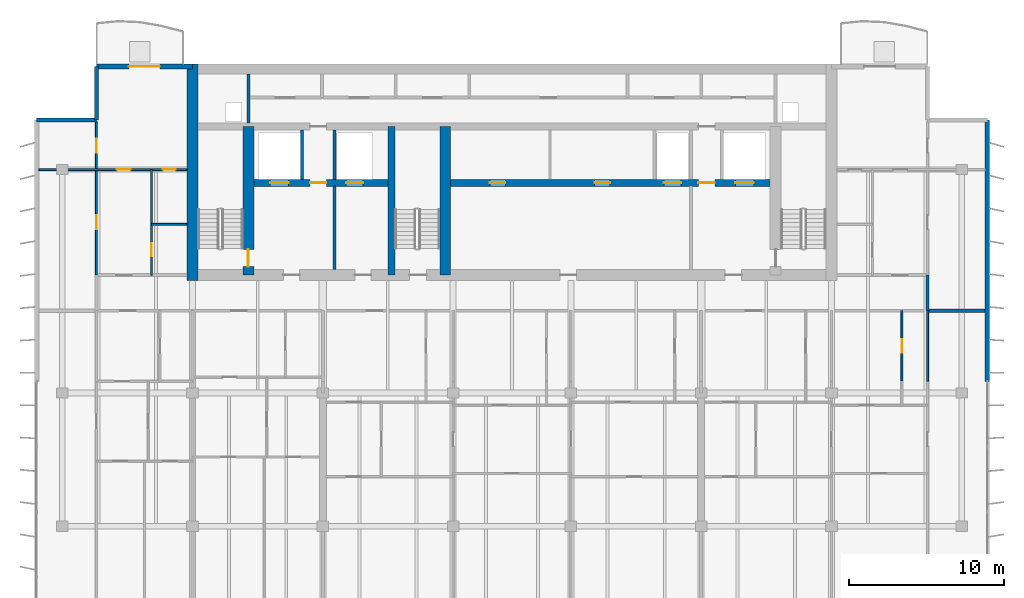
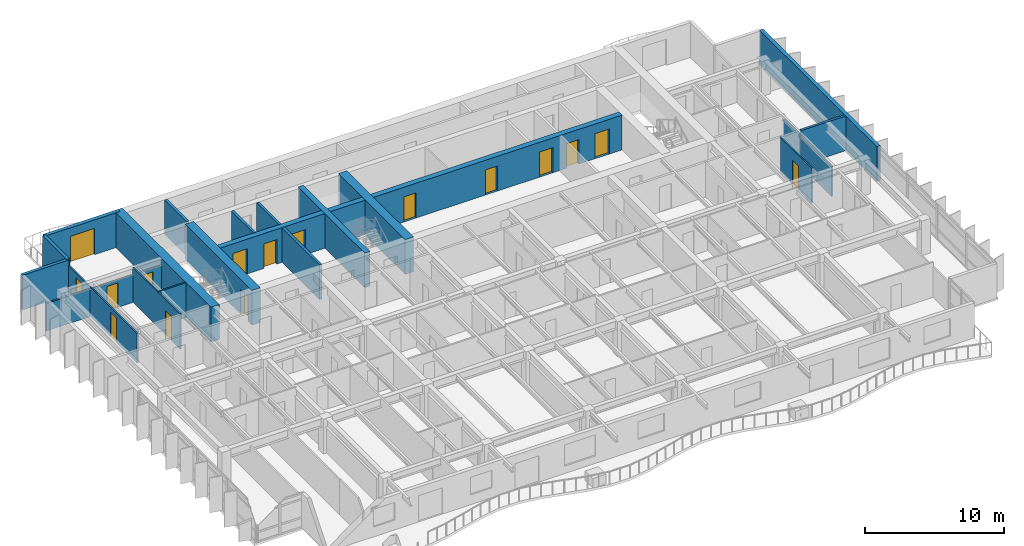
# One storey, part 9 of 16: 21 walls, 16 doors, 16 openings.
"""IFC4 building model written with IfcOpenShell, lengths in metres."""

from ifc_helpers import new_model, si_unit, direction, frame, frame_2d, origin, place, context, subcontext, project, spatial, rectangle, extrude, material, layer, layer_set, type_object, element, fill, save


model = new_model("IFC4")

# Units and contexts
model_context = context("Model", 3, precision=1e-05, world=origin(), true_north=direction((0.0, 1.0)))
body_context = subcontext(model_context, "Body", "Model", "MODEL_VIEW")
ifc_project = project(units=[si_unit("LENGTHUNIT", "METRE"), si_unit("AREAUNIT", "SQUARE_METRE"), si_unit("VOLUMEUNIT", "CUBIC_METRE"), si_unit("PLANEANGLEUNIT", "RADIAN"), si_unit("MASSUNIT", "GRAM", prefix="KILO")], contexts=[model_context])

# Site, building, storey
site_placement = place(None, origin())
site = spatial("IfcSite", under=ifc_project, at=site_placement, CompositionType="ELEMENT")
building_placement = place(site_placement, origin())
building = spatial("IfcBuilding", under=site, at=building_placement, Name="Caelmar Bay Residences", CompositionType="ELEMENT")
storey_placement = place(building_placement, frame((0.0, 0.0, 249.60009765625)))
storey = spatial("IfcBuildingStorey", under=building, at=storey_placement, Name="L70", CompositionType="ELEMENT", Elevation=249.60009765625)

# Wall
ifc_material_1 = material(Name="Concrete f'c 55 MPa (8,000 psi)", Category="concrete")
ifc_layer_1 = layer(ifc_material_1, 0.699951171875)
ifc_layer_set_1 = layer_set([ifc_layer_1], Name="Concrete f'c 55 MPa (8,000 psi)")
wall_type_1 = type_object("IfcWallType", Name="SW-COR-700", PredefinedType="SHEAR", material=ifc_layer_set_1)
wall_1_placement = place(storey_placement, frame((18.300048828125, 36.64990234375, 0.0), z_axis=(0.0, 0.0, 1.0), x_axis=(0.0, 1.0, 0.0)))
element("IfcWall", 1, at=wall_1_placement, inside=storey, type_object=wall_type_1, Name="L70 Rear Core West Shear Wall", PredefinedType="SHEAR", context=body_context, shape_type="SweptSolid", body=[
    extrude(rectangle(XDim=13.9501953125, YDim=0.699951171875, at=frame_2d((6.97509765625, 0.0))), origin(), (0.0, 0.0, 1.0), 3.0498046875),
])

# Wall, opening, door
wall_2_placement = place(storey_placement, frame((21.89990234375, 37.0, 0.0), z_axis=(0.0, 0.0, 1.0), x_axis=(0.0, 1.0, 0.0)))
wall_2 = element("IfcWall", 2, at=wall_2_placement, inside=storey, type_object=wall_type_1, Name="L70 Core Structural Web Wall ST1E", PredefinedType="SHEAR", context=body_context, shape_type="SweptSolid", body=[
    extrude(rectangle(XDim=9.574951171875, YDim=0.699951171875, at=frame_2d((4.78759765625, 0.0))), origin(), (0.0, 0.0, 1.0), 3.0498046875),
])
opening_1_placement = place(wall_2_placement, frame((0.550048828125, 0.0, 0.0)))
opening_1 = element("IfcOpeningElement", 3, at=opening_1_placement, cuts=wall_2, Name="Opening D-L70-107", PredefinedType="OPENING", context=body_context, shape_type="SweptSolid", body=[
    extrude(rectangle(XDim=1.10009765625, YDim=2.14990234375, at=frame_2d((0.550048828125, 1.074951171875))), frame((0.0, 0.35986328125, 0.0), z_axis=(0.0, -1.0, 0.0), x_axis=(1.0, 0.0, 0.0)), (0.0, 0.0, 1.0), 0.719970703125),
])
ifc_material_2 = material(Name="Fire-rated steel and walnut architectural door assembly", Category="steel")
ifc_layer_2 = layer(ifc_material_2, 0.050048828125)
ifc_layer_set_2 = layer_set([ifc_layer_2], Name="Fire-rated steel and walnut architectural door assembly")
door_type_1 = type_object("IfcDoorType", Name="D-STAIR-1100", OperationType="NOTDEFINED", PredefinedType="DOOR", material=ifc_layer_set_2)
door_1_placement = place(opening_1_placement, origin())
door_1 = element("IfcDoor", 4, at=door_1_placement, inside=storey, type_object=door_type_1, Name="L70 Firefighting Lobby West Door", OperationType="SINGLE_SWING_LEFT", OverallHeight=2.14990234375, OverallWidth=1.10009765625, PredefinedType="DOOR", context=body_context, shape_type="SweptSolid", body=[
    extrude(rectangle(XDim=1.10009765625, YDim=2.14990234375, at=frame_2d((0.550048828125, 1.074951171875))), frame((0.0, 0.02490234375, 0.0), z_axis=(0.0, -1.0, 0.0), x_axis=(1.0, 0.0, 0.0)), (0.0, 0.0, 1.0), 0.050048828125),
])
fill(opening_1, door_1)

# Walls
wall_3_placement = place(storey_placement, frame((34.60009765625, 37.0, 0.0), z_axis=(0.0, 0.0, 1.0), x_axis=(0.0, 1.0, 0.0)))
element("IfcWall", 5, at=wall_3_placement, inside=storey, type_object=wall_type_1, Name="L70 Core Structural Web Wall ST3E", PredefinedType="SHEAR", context=body_context, shape_type="SweptSolid", body=[
    extrude(rectangle(XDim=9.574951171875, YDim=0.699951171875, at=frame_2d((4.78759765625, 0.0))), origin(), (0.0, 0.0, 1.0), 3.0498046875),
])
ifc_material_3 = material(Name="Concrete f'c 70 MPa (10,000 psi)", Category="concrete")
ifc_layer_3 = layer(ifc_material_3, 0.449951171875)
ifc_layer_set_3 = layer_set([ifc_layer_3], Name="Concrete f'c 70 MPa (10,000 psi)")
wall_type_2 = type_object("IfcWallType", Name="SW-WEB-450", PredefinedType="SHEAR", material=ifc_layer_set_3)
wall_4_placement = place(storey_placement, frame((31.125, 37.0, 0.0), z_axis=(0.0, 0.0, 1.0), x_axis=(0.0, 1.0, 0.0)))
element("IfcWall", 6, at=wall_4_placement, inside=storey, type_object=wall_type_2, Name="L70 Core Structural Web Wall ST3W", PredefinedType="SHEAR", context=body_context, shape_type="SweptSolid", body=[
    extrude(rectangle(XDim=9.574951171875, YDim=0.449951171875, at=frame_2d((4.78759765625, 0.0))), origin(), (0.0, 0.0, 1.0), 3.0498046875),
])

# Wall, openings, doors
wall_5_placement = place(storey_placement, frame((22.25, 42.949951171875, 0.0), z_axis=(0.0, 0.0, 1.0), x_axis=(1.0, 0.0, 0.0)))
wall_5 = element("IfcWall", 7, at=wall_5_placement, inside=storey, type_object=wall_type_2, Name="L70 Core Structural Web Wall LFR", PredefinedType="SHEAR", context=body_context, shape_type="SweptSolid", body=[
    extrude(rectangle(XDim=33.300048828125, YDim=0.449951171875, at=frame_2d((16.64990234375, 0.0))), origin(), (0.0, 0.0, 1.0), 3.0498046875),
])
opening_2_placement = place(wall_5_placement, frame((1.050048828125, 0.0, 0.0)))
opening_2 = element("IfcOpeningElement", 8, at=opening_2_placement, cuts=wall_5, Name="Opening LD2", PredefinedType="OPENING", context=body_context, shape_type="SweptSolid", body=[
    extrude(rectangle(XDim=1.199951171875, YDim=2.199951171875, at=frame_2d((0.60009765625, 1.10009765625))), frame((0.0, 0.23486328125, 0.0), z_axis=(0.0, -1.0, 0.0), x_axis=(1.0, 0.0, 0.0)), (0.0, 0.0, 1.0), 0.469970703125),
])
opening_3_placement = place(wall_5_placement, frame((31.050048828125, 0.0, 0.0)))
opening_3 = element("IfcOpeningElement", 9, at=opening_3_placement, cuts=wall_5, Name="Opening LD2", PredefinedType="OPENING", context=body_context, shape_type="SweptSolid", body=[
    extrude(rectangle(XDim=1.199951171875, YDim=2.199951171875, at=frame_2d((0.60009765625, 1.10009765625))), frame((0.0, 0.23486328125, 0.0), z_axis=(0.0, -1.0, 0.0), x_axis=(1.0, 0.0, 0.0)), (0.0, 0.0, 1.0), 0.469970703125),
])
opening_4_placement = place(wall_5_placement, frame((26.449951171875, 0.0, 0.0)))
opening_4 = element("IfcOpeningElement", 10, at=opening_4_placement, cuts=wall_5, Name="Opening LD1", PredefinedType="OPENING", context=body_context, shape_type="SweptSolid", body=[
    extrude(rectangle(XDim=1.10009765625, YDim=2.199951171875, at=frame_2d((0.550048828125, 1.10009765625))), frame((0.0, 0.23486328125, 0.0), z_axis=(0.0, -1.0, 0.0), x_axis=(1.0, 0.0, 0.0)), (0.0, 0.0, 1.0), 0.469970703125),
])
opening_5_placement = place(wall_5_placement, frame((5.949951171875, 0.0, 0.0)))
opening_5 = element("IfcOpeningElement", 11, at=opening_5_placement, cuts=wall_5, Name="Opening LD1", PredefinedType="OPENING", context=body_context, shape_type="SweptSolid", body=[
    extrude(rectangle(XDim=1.10009765625, YDim=2.199951171875, at=frame_2d((0.550048828125, 1.10009765625))), frame((0.0, 0.23486328125, 0.0), z_axis=(0.0, -1.0, 0.0), x_axis=(1.0, 0.0, 0.0)), (0.0, 0.0, 1.0), 0.469970703125),
])
opening_6_placement = place(wall_5_placement, frame((3.625, 0.0, 0.0)))
opening_6 = element("IfcOpeningElement", 12, at=opening_6_placement, cuts=wall_5, Name="Opening D-L70-108", PredefinedType="OPENING", context=body_context, shape_type="SweptSolid", body=[
    extrude(rectangle(XDim=1.050048828125, YDim=2.14990234375, at=frame_2d((0.52490234375, 1.074951171875))), frame((0.0, 0.23486328125, 0.0), z_axis=(0.0, -1.0, 0.0), x_axis=(1.0, 0.0, 0.0)), (0.0, 0.0, 1.0), 0.469970703125),
])
opening_7_placement = place(wall_5_placement, frame((28.675048828125, 0.0, 0.0)))
opening_7 = element("IfcOpeningElement", 13, at=opening_7_placement, cuts=wall_5, Name="Opening D-L70-111", PredefinedType="OPENING", context=body_context, shape_type="SweptSolid", body=[
    extrude(rectangle(XDim=1.050048828125, YDim=2.14990234375, at=frame_2d((0.52490234375, 1.074951171875))), frame((0.0, 0.23486328125, 0.0), z_axis=(0.0, -1.0, 0.0), x_axis=(1.0, 0.0, 0.0)), (0.0, 0.0, 1.0), 0.469970703125),
])
opening_8_placement = place(wall_5_placement, frame((15.22509765625, 0.0, 0.0)))
opening_8 = element("IfcOpeningElement", 14, at=opening_8_placement, cuts=wall_5, Name="Opening D-L70-114", PredefinedType="OPENING", context=body_context, shape_type="SweptSolid", body=[
    extrude(rectangle(XDim=1.0, YDim=2.199951171875, at=frame_2d((0.5, 1.10009765625))), frame((0.0, 0.23486328125, 0.0), z_axis=(0.0, -1.0, 0.0), x_axis=(1.0, 0.0, 0.0)), (0.0, 0.0, 1.0), 0.469970703125),
])
opening_9_placement = place(wall_5_placement, frame((21.97509765625, 0.0, 0.0)))
opening_9 = element("IfcOpeningElement", 15, at=opening_9_placement, cuts=wall_5, Name="Opening D-L70-115", PredefinedType="OPENING", context=body_context, shape_type="SweptSolid", body=[
    extrude(rectangle(XDim=1.0, YDim=2.199951171875, at=frame_2d((0.5, 1.10009765625))), frame((0.0, 0.23486328125, 0.0), z_axis=(0.0, -1.0, 0.0), x_axis=(1.0, 0.0, 0.0)), (0.0, 0.0, 1.0), 0.469970703125),
])
ifc_layer_4 = layer(ifc_material_2, 0.050048828125)
ifc_layer_set_4 = layer_set([ifc_layer_4], Name="Fire-rated steel and walnut architectural door assembly")
door_type_2 = type_object("IfcDoorType", Name="D-FSAE-1050", OperationType="NOTDEFINED", PredefinedType="DOOR", material=ifc_layer_set_4)
door_2_placement = place(opening_6_placement, origin())
door_2 = element("IfcDoor", 16, at=door_2_placement, inside=storey, type_object=door_type_2, Name="L70 Firefighting Lobby West Door", OperationType="SINGLE_SWING_RIGHT", OverallHeight=2.14990234375, OverallWidth=1.050048828125, PredefinedType="DOOR", context=body_context, shape_type="SweptSolid", body=[
    extrude(rectangle(XDim=1.050048828125, YDim=2.14990234375, at=frame_2d((0.52490234375, 1.074951171875))), frame((0.0, 0.02490234375, 0.0), z_axis=(0.0, -1.0, 0.0), x_axis=(1.0, 0.0, 0.0)), (0.0, 0.0, 1.0), 0.050048828125),
])
fill(opening_6, door_2)
door_3_placement = place(opening_7_placement, origin())
door_3 = element("IfcDoor", 17, at=door_3_placement, inside=storey, type_object=door_type_2, Name="L70 Firefighting Lobby East Door", OperationType="SINGLE_SWING_LEFT", OverallHeight=2.14990234375, OverallWidth=1.050048828125, PredefinedType="DOOR", context=body_context, shape_type="SweptSolid", body=[
    extrude(rectangle(XDim=1.050048828125, YDim=2.14990234375, at=frame_2d((0.52490234375, 1.074951171875))), frame((0.0, 0.02490234375, 0.0), z_axis=(0.0, -1.0, 0.0), x_axis=(1.0, 0.0, 0.0)), (0.0, 0.0, 1.0), 0.050048828125),
])
fill(opening_7, door_3)
ifc_material_4 = material(Name="Brushed bronze stainless-steel fire-rated lift landing doors", Category="steel")
ifc_layer_5 = layer(ifc_material_4, 0.050048828125)
ifc_layer_set_5 = layer_set([ifc_layer_5], Name="Brushed bronze stainless-steel fire-rated lift landing doors")
door_type_3 = type_object("IfcDoorType", Name="D-LND-1100", OperationType="DOUBLE_DOOR_SLIDING", PredefinedType="DOOR", material=ifc_layer_set_5)
door_4_placement = place(opening_4_placement, origin())
door_4 = element("IfcDoor", 18, at=door_4_placement, inside=storey, type_object=door_type_3, Name="L70 LP6 Sliding Landing Door", OperationType="DOUBLE_DOOR_SLIDING", OverallHeight=2.199951171875, OverallWidth=1.10009765625, PredefinedType="DOOR", context=body_context, shape_type="SweptSolid", body=[
    extrude(rectangle(XDim=1.10009765625, YDim=2.199951171875, at=frame_2d((0.550048828125, 1.10009765625))), frame((0.0, 0.02490234375, 0.0), z_axis=(0.0, -1.0, 0.0), x_axis=(1.0, 0.0, 0.0)), (0.0, 0.0, 1.0), 0.050048828125),
])
fill(opening_4, door_4)
door_5_placement = place(opening_5_placement, origin())
door_5 = element("IfcDoor", 19, at=door_5_placement, inside=storey, type_object=door_type_3, Name="L70 LP7 Sliding Landing Door", OperationType="DOUBLE_DOOR_SLIDING", OverallHeight=2.199951171875, OverallWidth=1.10009765625, PredefinedType="DOOR", context=body_context, shape_type="SweptSolid", body=[
    extrude(rectangle(XDim=1.10009765625, YDim=2.199951171875, at=frame_2d((0.550048828125, 1.10009765625))), frame((0.0, 0.02490234375, 0.0), z_axis=(0.0, -1.0, 0.0), x_axis=(1.0, 0.0, 0.0)), (0.0, 0.0, 1.0), 0.050048828125),
])
fill(opening_5, door_5)
ifc_material_5 = material(Name="Brushed stainless-steel FSAE sliding landing door", Category="steel")
ifc_layer_6 = layer(ifc_material_5, 0.050048828125)
ifc_layer_set_6 = layer_set([ifc_layer_6], Name="Brushed stainless-steel FSAE sliding landing door")
door_type_4 = type_object("IfcDoorType", Name="D-LND-1200", OperationType="DOUBLE_DOOR_SLIDING", PredefinedType="DOOR", material=ifc_layer_set_6)
door_6_placement = place(opening_2_placement, origin())
door_6 = element("IfcDoor", 20, at=door_6_placement, inside=storey, type_object=door_type_4, Name="L70 LF1 Sliding Landing Door", OperationType="DOUBLE_DOOR_SLIDING", OverallHeight=2.199951171875, OverallWidth=1.199951171875, PredefinedType="DOOR", context=body_context, shape_type="SweptSolid", body=[
    extrude(rectangle(XDim=1.199951171875, YDim=2.199951171875, at=frame_2d((0.60009765625, 1.10009765625))), frame((0.0, 0.02490234375, 0.0), z_axis=(0.0, -1.0, 0.0), x_axis=(1.0, 0.0, 0.0)), (0.0, 0.0, 1.0), 0.050048828125),
])
fill(opening_2, door_6)
door_7_placement = place(opening_3_placement, origin())
door_7 = element("IfcDoor", 21, at=door_7_placement, inside=storey, type_object=door_type_4, Name="L70 LF2 Sliding Landing Door", OperationType="DOUBLE_DOOR_SLIDING", OverallHeight=2.199951171875, OverallWidth=1.199951171875, PredefinedType="DOOR", context=body_context, shape_type="SweptSolid", body=[
    extrude(rectangle(XDim=1.199951171875, YDim=2.199951171875, at=frame_2d((0.60009765625, 1.10009765625))), frame((0.0, 0.02490234375, 0.0), z_axis=(0.0, -1.0, 0.0), x_axis=(1.0, 0.0, 0.0)), (0.0, 0.0, 1.0), 0.050048828125),
])
fill(opening_3, door_7)
ifc_layer_7 = layer(ifc_material_2, 0.050048828125)
ifc_layer_set_7 = layer_set([ifc_layer_7], Name="Fire-rated steel and walnut architectural door assembly")
door_type_5 = type_object("IfcDoorType", Name="D-UNIT-1000", OperationType="NOTDEFINED", PredefinedType="DOOR", material=ifc_layer_set_7)
door_8_placement = place(opening_8_placement, origin())
door_8 = element("IfcDoor", 22, at=door_8_placement, inside=storey, type_object=door_type_5, Name="L70 Music Study Room Door", OperationType="SINGLE_SWING_RIGHT", OverallHeight=2.199951171875, OverallWidth=1.0, PredefinedType="DOOR", context=body_context, shape_type="SweptSolid", body=[
    extrude(rectangle(XDim=1.0, YDim=2.199951171875, at=frame_2d((0.5, 1.10009765625))), frame((0.0, 0.02490234375, 0.0), z_axis=(0.0, -1.0, 0.0), x_axis=(1.0, 0.0, 0.0)), (0.0, 0.0, 1.0), 0.050048828125),
])
fill(opening_8, door_8)
door_9_placement = place(opening_9_placement, origin())
door_9 = element("IfcDoor", 23, at=door_9_placement, inside=storey, type_object=door_type_5, Name="L70 Board Meeting Room Door", OperationType="SINGLE_SWING_LEFT", OverallHeight=2.199951171875, OverallWidth=1.0, PredefinedType="DOOR", context=body_context, shape_type="SweptSolid", body=[
    extrude(rectangle(XDim=1.0, YDim=2.199951171875, at=frame_2d((0.5, 1.10009765625))), frame((0.0, 0.02490234375, 0.0), z_axis=(0.0, -1.0, 0.0), x_axis=(1.0, 0.0, 0.0)), (0.0, 0.0, 1.0), 0.050048828125),
])
fill(opening_9, door_9)

# Walls
ifc_material_6 = material(Name="Double-stud acoustic fire-rated gypsum partition 180 mm")
ifc_layer_8 = layer(ifc_material_6, 0.179931640625)
ifc_layer_set_8 = layer_set([ifc_layer_8], Name="Double-stud acoustic fire-rated gypsum partition 180 mm")
wall_type_3 = type_object("IfcWallType", Name="W-COR-200", PredefinedType="PARTITIONING", material=ifc_layer_set_8)
wall_6_placement = place(storey_placement, frame((65.699951171875, 34.705078125, 0.0), z_axis=(0.0, 0.0, 1.0), x_axis=(0.0, 1.0, 0.0)))
element("IfcWall", 24, at=wall_6_placement, inside=storey, type_object=wall_type_3, Name="L70 Partition Wall V065", PredefinedType="PARTITIONING", context=body_context, shape_type="SweptSolid", body=[
    extrude(rectangle(XDim=2.294921875, YDim=0.179931640625, at=frame_2d((1.1474609375, 0.0))), origin(), (0.0, 0.0, 1.0), 2.62890625),
])
ifc_material_7 = material(Name="Precast concrete f'c 40 MPa (6,000 psi)", Category="concrete")
ifc_layer_9 = layer(ifc_material_7, 0.25)
ifc_layer_set_9 = layer_set([ifc_layer_9], Name="Precast concrete f'c 40 MPa (6,000 psi)")
wall_type_4 = type_object("IfcWallType", Name="W-EXT-250", PredefinedType="ELEMENTEDWALL", material=ifc_layer_set_9)
wall_7_placement = place(storey_placement, frame((8.25, 47.0, 0.0), z_axis=(0.0, 0.0, 1.0), x_axis=(1.0, 0.0, 0.0)))
element("IfcWall", 25, at=wall_7_placement, inside=storey, type_object=wall_type_4, Name="L70 NNW-H Notch Wall", PredefinedType="ELEMENTEDWALL", context=body_context, shape_type="SweptSolid", body=[
    extrude(rectangle(XDim=3.85009765625, YDim=0.25, at=frame_2d((1.925048828125, 0.0))), origin(), (0.0, 0.0, 1.0), 3.0498046875),
])
wall_8_placement = place(storey_placement, frame((12.10009765625, 47.0, 0.0), z_axis=(0.0, 0.0, 1.0), x_axis=(0.0, 1.0, 0.0)))
element("IfcWall", 26, at=wall_8_placement, inside=storey, type_object=wall_type_4, Name="L70 NNW-V Notch Wall", PredefinedType="ELEMENTEDWALL", context=body_context, shape_type="SweptSolid", body=[
    extrude(rectangle(XDim=3.449951171875, YDim=0.25, at=frame_2d((1.72509765625, 0.0))), origin(), (0.0, 0.0, 1.0), 3.0498046875),
])
ifc_layer_10 = layer(ifc_material_7, 0.300048828125)
ifc_layer_set_10 = layer_set([ifc_layer_10], Name="Precast concrete f'c 40 MPa (6,000 psi)")
wall_type_5 = type_object("IfcWallType", Name="W-EXT-300", PredefinedType="STANDARD", material=ifc_layer_set_10)
wall_9_placement = place(storey_placement, frame((69.550048828125, 47.0, 0.0), z_axis=(0.0, 0.0, 1.0), x_axis=(0.0, -1.0, 0.0)))
element("IfcWall", 27, at=wall_9_placement, inside=storey, type_object=wall_type_5, Name="L70 East Rear Exterior Wall", PredefinedType="STANDARD", context=body_context, shape_type="SweptSolid", body=[
    extrude(rectangle(XDim=16.85009765625, YDim=0.300048828125, at=frame_2d((8.425048828125, 0.0))), origin(), (0.0, 0.0, 1.0), 3.0498046875),
])

# Wall, opening, door
wall_10_placement = place(storey_placement, frame((12.10009765625, 50.449951171875, 0.0), z_axis=(0.0, 0.0, 1.0), x_axis=(1.0, 0.0, 0.0)))
wall_10 = element("IfcWall", 28, at=wall_10_placement, inside=storey, type_object=wall_type_5, Name="L70 North-West Wing Exterior Wall", PredefinedType="STANDARD", context=body_context, shape_type="SweptSolid", body=[
    extrude(rectangle(XDim=6.199951171875, YDim=0.300048828125, at=frame_2d((3.10009765625, 0.0))), origin(), (0.0, 0.0, 1.0), 3.0498046875),
])
opening_10_placement = place(wall_10_placement, frame((2.10009765625, 0.0, 0.0)))
opening_10 = element("IfcOpeningElement", 29, at=opening_10_placement, cuts=wall_10, Name="Opening L70-BDNW", PredefinedType="OPENING", context=body_context, shape_type="SweptSolid", body=[
    extrude(rectangle(XDim=2.0, YDim=2.300048828125, at=frame_2d((1.0, 1.14990234375))), frame((0.0, 0.159912109375, 0.0), z_axis=(0.0, -1.0, 0.0), x_axis=(1.0, 0.0, 0.0)), (0.0, 0.0, 1.0), 0.320068359375),
])
ifc_material_8 = material(Name="Anodised bronze thermally broken sliding glass door", Category="glass")
ifc_layer_11 = layer(ifc_material_8, 0.050048828125)
ifc_layer_set_11 = layer_set([ifc_layer_11], Name="Anodised bronze thermally broken sliding glass door")
door_type_6 = type_object("IfcDoorType", Name="D-BAL-2000", OperationType="DOUBLE_DOOR_SLIDING", PredefinedType="DOOR", material=ifc_layer_set_11)
door_10_placement = place(opening_10_placement, origin())
door_10 = element("IfcDoor", 30, at=door_10_placement, inside=storey, type_object=door_type_6, Name="L70 North-West Balcony Door", OperationType="DOUBLE_DOOR_SLIDING", OverallHeight=2.300048828125, OverallWidth=2.0, PredefinedType="DOOR", context=body_context, shape_type="SweptSolid", body=[
    extrude(rectangle(XDim=2.0, YDim=2.300048828125, at=frame_2d((1.0, 1.14990234375))), frame((0.0, 0.02490234375, 0.0), z_axis=(0.0, -1.0, 0.0), x_axis=(1.0, 0.0, 0.0)), (0.0, 0.0, 1.0), 0.050048828125),
])
fill(opening_10, door_10)

# Walls
ifc_material_9 = material(Name="Fire-rated masonry and gypsum shaftliner assembly 200 mm", Category="masonry")
ifc_layer_12 = layer(ifc_material_9, 0.199951171875)
ifc_layer_set_12 = layer_set([ifc_layer_12], Name="Fire-rated masonry and gypsum shaftliner assembly 200 mm")
wall_type_6 = type_object("IfcWallType", Name="W-FSAE-200", PredefinedType="PARTITIONING", material=ifc_layer_set_12)
wall_11_placement = place(storey_placement, frame((21.89990234375, 46.794921875, 0.0), z_axis=(0.0, 0.0, 1.0), x_axis=(0.0, 1.0, 0.0)))
element("IfcWall", 31, at=wall_11_placement, inside=storey, type_object=wall_type_6, Name="L70 Partition Wall V013", PredefinedType="PARTITIONING", context=body_context, shape_type="SweptSolid", body=[
    extrude(rectangle(XDim=3.16015625, YDim=0.199951171875, at=frame_2d((1.580078125, 0.0))), origin(), (0.0, 0.0, 1.0), 3.0498046875),
])
wall_12_placement = place(storey_placement, frame((25.35009765625, 43.169921875, 0.0), z_axis=(0.0, 0.0, 1.0), x_axis=(0.0, 1.0, 0.0)))
element("IfcWall", 32, at=wall_12_placement, inside=storey, type_object=wall_type_6, Name="L70 Partition Wall V019", PredefinedType="PARTITIONING", context=body_context, shape_type="SweptSolid", body=[
    extrude(rectangle(XDim=3.18505859375, YDim=0.199951171875, at=frame_2d((1.592529296875, 0.0))), origin(), (0.0, 0.0, 1.0), 3.0498046875),
])
wall_13_placement = place(storey_placement, frame((27.449951171875, 37.344970703125, 0.0), z_axis=(0.0, 0.0, 1.0), x_axis=(0.0, 1.0, 0.0)))
element("IfcWall", 33, at=wall_13_placement, inside=storey, type_object=wall_type_6, Name="L70 Partition Wall V025", PredefinedType="PARTITIONING", context=body_context, shape_type="SweptSolid", body=[
    extrude(rectangle(XDim=5.385009765625, YDim=0.199951171875, at=frame_2d((2.6923828125, 0.0))), origin(), (0.0, 0.0, 1.0), 3.0498046875),
])
wall_14_placement = place(storey_placement, frame((27.449951171875, 43.169921875, 0.0), z_axis=(0.0, 0.0, 1.0), x_axis=(0.0, 1.0, 0.0)))
element("IfcWall", 34, at=wall_14_placement, inside=storey, type_object=wall_type_6, Name="L70 Partition Wall V026", PredefinedType="PARTITIONING", context=body_context, shape_type="SweptSolid", body=[
    extrude(rectangle(XDim=3.18505859375, YDim=0.199951171875, at=frame_2d((1.592529296875, 0.0))), origin(), (0.0, 0.0, 1.0), 3.0498046875),
])

# Wall, openings, doors
ifc_material_10 = material(Name="Acoustic metal-stud gypsum partition 120 mm")
ifc_layer_13 = layer(ifc_material_10, 0.1201171875)
ifc_layer_set_13 = layer_set([ifc_layer_13], Name="Acoustic metal-stud gypsum partition 120 mm")
wall_type_7 = type_object("IfcWallType", Name="W-PRT-120", PredefinedType="PARTITIONING", material=ifc_layer_set_13)
wall_15_placement = place(storey_placement, frame((12.10009765625, 37.0048828125, 0.0), z_axis=(0.0, 0.0, 1.0), x_axis=(0.0, 1.0, 0.0)))
wall_15 = element("IfcWall", 35, at=wall_15_placement, inside=storey, type_object=wall_type_7, Name="L70 Partition Wall V004", PredefinedType="PARTITIONING", context=body_context, shape_type="SweptSolid", body=[
    extrude(rectangle(XDim=9.875, YDim=0.1201171875, at=frame_2d((4.9375, 0.0))), origin(), (0.0, 0.0, 1.0), 2.577880859375),
])
opening_11_placement = place(wall_15_placement, frame((2.947509765625, 0.0, 0.0)))
opening_11 = element("IfcOpeningElement", 36, at=opening_11_placement, cuts=wall_15, Name="Opening D-L70-168", PredefinedType="OPENING", context=body_context, shape_type="SweptSolid", body=[
    extrude(rectangle(XDim=0.89990234375, YDim=2.14990234375, at=frame_2d((0.449951171875, 1.074951171875))), frame((0.0, 0.070068359375, 0.0), z_axis=(0.0, -1.0, 0.0), x_axis=(1.0, 0.0, 0.0)), (0.0, 0.0, 1.0), 0.14013671875),
])
opening_12_placement = place(wall_15_placement, frame((7.885009765625, 0.0, 0.0)))
opening_12 = element("IfcOpeningElement", 37, at=opening_12_placement, cuts=wall_15, Name="Opening D-L70-169", PredefinedType="OPENING", context=body_context, shape_type="SweptSolid", body=[
    extrude(rectangle(XDim=0.89990234375, YDim=2.14990234375, at=frame_2d((0.449951171875, 1.074951171875))), frame((0.0, 0.070068359375, 0.0), z_axis=(0.0, -1.0, 0.0), x_axis=(1.0, 0.0, 0.0)), (0.0, 0.0, 1.0), 0.14013671875),
])
ifc_material_11 = material(Name="Solid walnut timber interior door leaf and frame", Category="wood")
ifc_layer_14 = layer(ifc_material_11, 0.050048828125)
ifc_layer_set_14 = layer_set([ifc_layer_14], Name="Solid walnut timber interior door leaf and frame")
door_type_7 = type_object("IfcDoorType", Name="D-ROOM-900", OperationType="NOTDEFINED", PredefinedType="DOOR", material=ifc_layer_set_14)
door_11_placement = place(opening_11_placement, origin())
door_11 = element("IfcDoor", 38, at=door_11_placement, inside=storey, type_object=door_type_7, Name="L70 Residence WA Sun Study Door", OperationType="SINGLE_SWING_RIGHT", OverallHeight=2.14990234375, OverallWidth=0.89990234375, PredefinedType="DOOR", context=body_context, shape_type="SweptSolid", body=[
    extrude(rectangle(XDim=0.89990234375, YDim=2.14990234375, at=frame_2d((0.449951171875, 1.074951171875))), frame((0.0, 0.02490234375, 0.0), z_axis=(0.0, -1.0, 0.0), x_axis=(1.0, 0.0, 0.0)), (0.0, 0.0, 1.0), 0.050048828125),
])
fill(opening_11, door_11)
door_12_placement = place(opening_12_placement, origin())
door_12 = element("IfcDoor", 39, at=door_12_placement, inside=storey, type_object=door_type_7, Name="L70 Residence WA North Sitting Alcove Door", OperationType="SINGLE_SWING_LEFT", OverallHeight=2.14990234375, OverallWidth=0.89990234375, PredefinedType="DOOR", context=body_context, shape_type="SweptSolid", body=[
    extrude(rectangle(XDim=0.89990234375, YDim=2.14990234375, at=frame_2d((0.449951171875, 1.074951171875))), frame((0.0, 0.02490234375, 0.0), z_axis=(0.0, -1.0, 0.0), x_axis=(1.0, 0.0, 0.0)), (0.0, 0.0, 1.0), 0.050048828125),
])
fill(opening_12, door_12)

# Wall, opening, door
wall_16_placement = place(storey_placement, frame((15.64990234375, 37.0, 0.0), z_axis=(0.0, 0.0, 1.0), x_axis=(0.0, 1.0, 0.0)))
wall_16 = element("IfcWall", 40, at=wall_16_placement, inside=storey, type_object=wall_type_7, Name="L70 Partition Wall V008", PredefinedType="PARTITIONING", context=body_context, shape_type="SweptSolid", body=[
    extrude(rectangle(XDim=6.800048828125, YDim=0.1201171875, at=frame_2d((3.39990234375, 0.0))), origin(), (0.0, 0.0, 1.0), 3.0498046875),
])
opening_13_placement = place(wall_16_placement, frame((1.20703125, 0.0, 0.0)))
opening_13 = element("IfcOpeningElement", 41, at=opening_13_placement, cuts=wall_16, Name="Opening D-L70-166", PredefinedType="OPENING", context=body_context, shape_type="SweptSolid", body=[
    extrude(rectangle(XDim=0.85009765625, YDim=2.10009765625, at=frame_2d((0.425048828125, 1.050048828125))), frame((0.0, 0.070068359375, 0.0), z_axis=(0.0, -1.0, 0.0), x_axis=(1.0, 0.0, 0.0)), (0.0, 0.0, 1.0), 0.14013671875),
])
ifc_layer_15 = layer(ifc_material_11, 0.050048828125)
ifc_layer_set_15 = layer_set([ifc_layer_15], Name="Solid walnut timber interior door leaf and frame")
door_type_8 = type_object("IfcDoorType", Name="D-BATH-850", OperationType="NOTDEFINED", PredefinedType="DOOR", material=ifc_layer_set_15)
door_13_placement = place(opening_13_placement, origin())
door_13 = element("IfcDoor", 42, at=door_13_placement, inside=storey, type_object=door_type_8, Name="L70 Residence WA Walk-In Closet Door", OperationType="SINGLE_SWING_RIGHT", OverallHeight=2.10009765625, OverallWidth=0.85009765625, PredefinedType="DOOR", context=body_context, shape_type="SweptSolid", body=[
    extrude(rectangle(XDim=0.85009765625, YDim=2.10009765625, at=frame_2d((0.425048828125, 1.050048828125))), frame((0.0, 0.02490234375, 0.0), z_axis=(0.0, -1.0, 0.0), x_axis=(1.0, 0.0, 0.0)), (0.0, 0.0, 1.0), 0.050048828125),
])
fill(opening_13, door_13)

wall_17_placement = place(storey_placement, frame((64.0439453125, 30.14990234375, 0.0), z_axis=(0.0, 0.0, 1.0), x_axis=(0.0, 1.0, 0.0)))
wall_17 = element("IfcWall", 43, at=wall_17_placement, inside=storey, type_object=wall_type_7, Name="L70 Partition Wall V062", PredefinedType="PARTITIONING", context=body_context, shape_type="SweptSolid", body=[
    extrude(rectangle(XDim=4.550048828125, YDim=0.1201171875, at=frame_2d((2.27490234375, 0.0))), origin(), (0.0, 0.0, 1.0), 3.0498046875),
])
opening_14_placement = place(wall_17_placement, frame((1.85009765625, 0.0, 0.0)))
opening_14 = element("IfcOpeningElement", 44, at=opening_14_placement, cuts=wall_17, Name="Opening D-L70-159", PredefinedType="OPENING", context=body_context, shape_type="SweptSolid", body=[
    extrude(rectangle(XDim=0.85009765625, YDim=2.10009765625, at=frame_2d((0.425048828125, 1.050048828125))), frame((0.0, 0.070068359375, 0.0), z_axis=(0.0, -1.0, 0.0), x_axis=(1.0, 0.0, 0.0)), (0.0, 0.0, 1.0), 0.14013671875),
])
door_14_placement = place(opening_14_placement, origin())
door_14 = element("IfcDoor", 45, at=door_14_placement, inside=storey, type_object=door_type_8, Name="L70 Residence 04 En-Suite Bathroom 1 Door", OperationType="SINGLE_SWING_LEFT", OverallHeight=2.10009765625, OverallWidth=0.85009765625, PredefinedType="DOOR", context=body_context, shape_type="SweptSolid", body=[
    extrude(rectangle(XDim=0.85009765625, YDim=2.10009765625, at=frame_2d((0.425048828125, 1.050048828125))), frame((0.0, 0.02490234375, 0.0), z_axis=(0.0, -1.0, 0.0), x_axis=(1.0, 0.0, 0.0)), (0.0, 0.0, 1.0), 0.050048828125),
])
fill(opening_14, door_14)

# Walls
wall_18_placement = place(storey_placement, frame((65.699951171875, 30.14990234375, 0.0), z_axis=(0.0, 0.0, 1.0), x_axis=(0.0, 1.0, 0.0)))
element("IfcWall", 46, at=wall_18_placement, inside=storey, type_object=wall_type_7, Name="L70 Partition Wall V064", PredefinedType="PARTITIONING", context=body_context, shape_type="SweptSolid", body=[
    extrude(rectangle(XDim=4.550048828125, YDim=0.1201171875, at=frame_2d((2.27490234375, 0.0))), origin(), (0.0, 0.0, 1.0), 2.62890625),
])
wall_19_placement = place(storey_placement, frame((15.64990234375, 40.263916015625, 0.0), z_axis=(0.0, 0.0, 1.0), x_axis=(1.0, 0.0, 0.0)))
element("IfcWall", 47, at=wall_19_placement, inside=storey, type_object=wall_type_7, Name="L70 Partition Wall H090", PredefinedType="PARTITIONING", context=body_context, shape_type="SweptSolid", body=[
    extrude(rectangle(XDim=2.30517578125, YDim=0.1201171875, at=frame_2d((1.152587890625, 0.0))), origin(), (0.0, 0.0, 1.0), 3.0498046875),
])

# Wall, openings, doors
wall_20_placement = place(storey_placement, frame((8.39501953125, 43.800048828125, 0.0), z_axis=(0.0, 0.0, 1.0), x_axis=(1.0, 0.0, 0.0)))
wall_20 = element("IfcWall", 48, at=wall_20_placement, inside=storey, type_object=wall_type_7, Name="L70 Partition Wall H092", PredefinedType="PARTITIONING", context=body_context, shape_type="SweptSolid", body=[
    extrude(rectangle(XDim=9.56005859375, YDim=0.1201171875, at=frame_2d((4.780029296875, 0.0))), origin(), (0.0, 0.0, 1.0), 2.41796875),
])
opening_15_placement = place(wall_20_placement, frame((5.030029296875, 0.0, 0.0)))
opening_15 = element("IfcOpeningElement", 49, at=opening_15_placement, cuts=wall_20, Name="Opening D-L70-165", PredefinedType="OPENING", context=body_context, shape_type="SweptSolid", body=[
    extrude(rectangle(XDim=0.89990234375, YDim=2.14990234375, at=frame_2d((0.449951171875, 1.074951171875))), frame((0.0, 0.070068359375, 0.0), z_axis=(0.0, -1.0, 0.0), x_axis=(1.0, 0.0, 0.0)), (0.0, 0.0, 1.0), 0.14013671875),
])
opening_16_placement = place(wall_20_placement, frame((7.982421875, 0.0, 0.0)))
opening_16 = element("IfcOpeningElement", 50, at=opening_16_placement, cuts=wall_20, Name="Opening D-L70-167", PredefinedType="OPENING", context=body_context, shape_type="SweptSolid", body=[
    extrude(rectangle(XDim=0.85009765625, YDim=2.10009765625, at=frame_2d((0.425048828125, 1.050048828125))), frame((0.0, 0.070068359375, 0.0), z_axis=(0.0, -1.0, 0.0), x_axis=(1.0, 0.0, 0.0)), (0.0, 0.0, 1.0), 0.14013671875),
])
door_15_placement = place(opening_16_placement, origin())
door_15 = element("IfcDoor", 51, at=door_15_placement, inside=storey, type_object=door_type_8, Name="L70 Residence WA Bathroom Door", OperationType="SINGLE_SWING_LEFT", OverallHeight=2.10009765625, OverallWidth=0.85009765625, PredefinedType="DOOR", context=body_context, shape_type="SweptSolid", body=[
    extrude(rectangle(XDim=0.85009765625, YDim=2.10009765625, at=frame_2d((0.425048828125, 1.050048828125))), frame((0.0, 0.02490234375, 0.0), z_axis=(0.0, -1.0, 0.0), x_axis=(1.0, 0.0, 0.0)), (0.0, 0.0, 1.0), 0.050048828125),
])
fill(opening_16, door_15)
door_16_placement = place(opening_15_placement, origin())
door_16 = element("IfcDoor", 52, at=door_16_placement, inside=storey, type_object=door_type_7, Name="L70 Residence WA Studio Living and Sleeping Room Door", OperationType="SINGLE_SWING_LEFT", OverallHeight=2.14990234375, OverallWidth=0.89990234375, PredefinedType="DOOR", context=body_context, shape_type="SweptSolid", body=[
    extrude(rectangle(XDim=0.89990234375, YDim=2.14990234375, at=frame_2d((0.449951171875, 1.074951171875))), frame((0.0, 0.02490234375, 0.0), z_axis=(0.0, -1.0, 0.0), x_axis=(1.0, 0.0, 0.0)), (0.0, 0.0, 1.0), 0.050048828125),
])
fill(opening_15, door_16)

# Wall
ifc_material_12 = material(Name="Acoustic twin-stud fire-rated inter-tenancy partition 200 mm")
ifc_layer_16 = layer(ifc_material_12, 0.199951171875)
ifc_layer_set_16 = layer_set([ifc_layer_16], Name="Acoustic twin-stud fire-rated inter-tenancy partition 200 mm")
wall_type_8 = type_object("IfcWallType", Name="W-PTY-200", PredefinedType="PARTITIONING", material=ifc_layer_set_16)
wall_21_placement = place(storey_placement, frame((65.705078125, 34.699951171875, 0.0), z_axis=(0.0, 0.0, 1.0), x_axis=(1.0, 0.0, 0.0)))
element("IfcWall", 53, at=wall_21_placement, inside=storey, type_object=wall_type_8, Name="L70 Partition Wall H087", PredefinedType="PARTITIONING", context=body_context, shape_type="SweptSolid", body=[
    extrude(rectangle(XDim=3.699951171875, YDim=0.199951171875, at=frame_2d((1.85009765625, 0.0))), origin(), (0.0, 0.0, 1.0), 3.0498046875),
])

save(model, "model.ifc")
